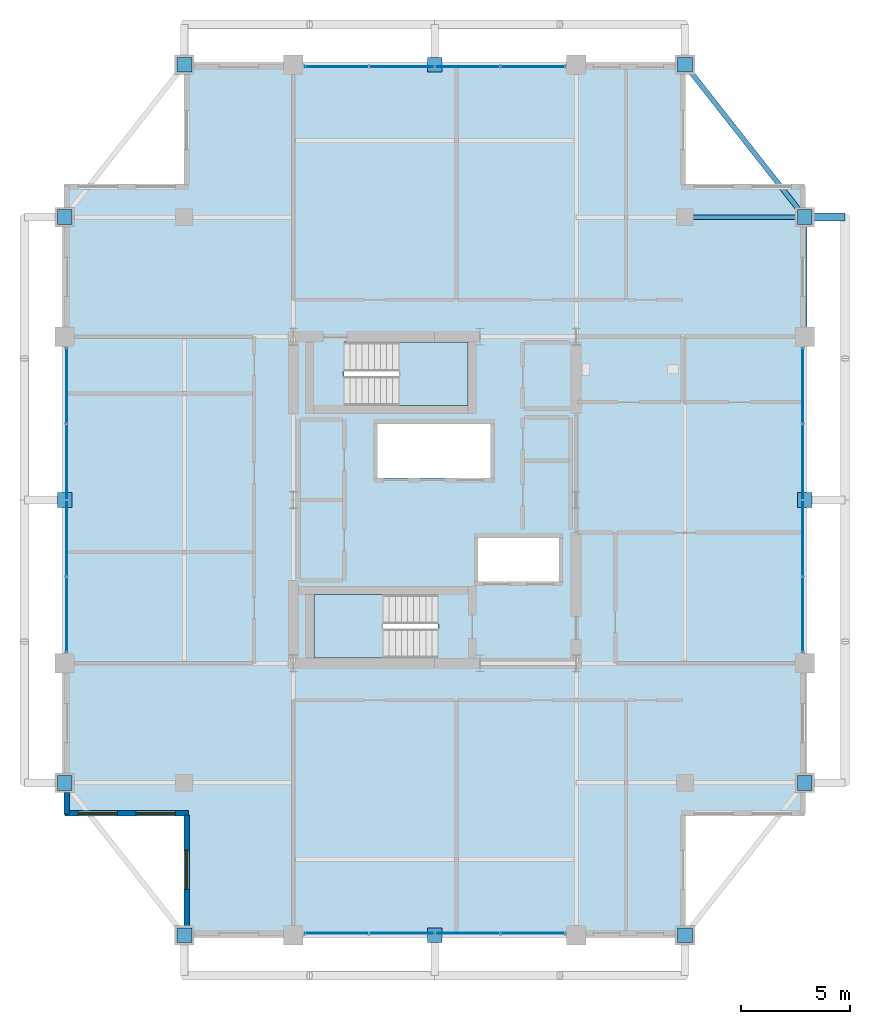
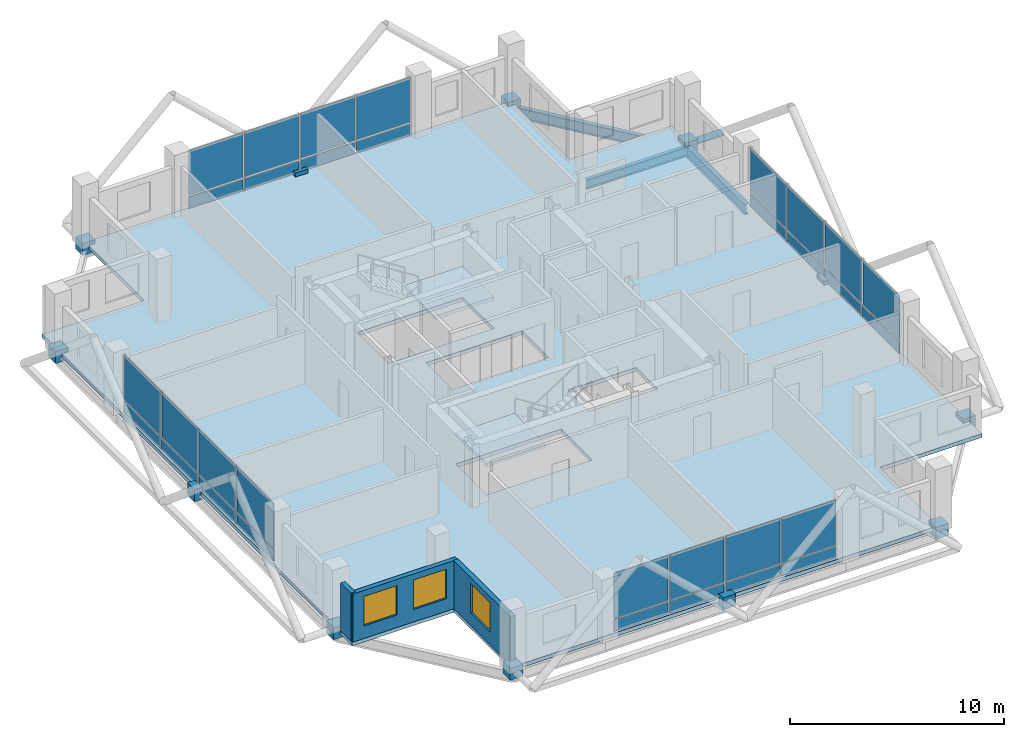
# One storey, part 18 of 24: 44 plates, 3 beams, 3 slabs, 3 walls, 3 windows, 1 member, 3 openings, 6 elements without a shape of their own.
"""IFC4 building model written with IfcOpenShell, lengths in metres."""

from ifc_helpers import new_model, si_unit, direction, frame, frame_2d, origin, origin_2d, place, context, subcontext, project, spatial, polyline, rectangle, hollow_circle, i_section, outline, extrude, material, layer, layer_set, material_profile, profile_set, type_object, element, fill, aggregate, save


model = new_model("IFC4")

# Units and contexts
model_context = context("Model", 3, precision=1e-05, world=origin(), true_north=direction((0.0, 1.0)))
body_context = subcontext(model_context, "Body", "Model", "MODEL_VIEW")
ifc_project = project(units=[si_unit("LENGTHUNIT", "METRE"), si_unit("AREAUNIT", "SQUARE_METRE"), si_unit("VOLUMEUNIT", "CUBIC_METRE"), si_unit("PLANEANGLEUNIT", "RADIAN"), si_unit("MASSUNIT", "GRAM", prefix="KILO")], contexts=[model_context])

# Site, building, storey
site_placement = place(None, origin())
site = spatial("IfcSite", under=ifc_project, at=site_placement, CompositionType="ELEMENT")
building_placement = place(site_placement, origin())
building = spatial("IfcBuilding", under=site, at=building_placement, Name="Barlavira Tower and Art Museum", CompositionType="ELEMENT")
storey_placement = place(building_placement, frame((0.0, 0.0, 272.699951171875)))
storey = spatial("IfcBuildingStorey", under=building, at=storey_placement, Name="L71", CompositionType="ELEMENT", Elevation=272.699951171875)

# Member
ifc_material_1 = material(Name="Steel S355", Category="steel")
ifc_material_profile_1 = material_profile(ifc_material_1, hollow_circle(Radius=0.177734375, WallThickness=0.01611328125, at=origin_2d()), Name="CHS 355.6x16.0")
ifc_profile_set_1 = profile_set([ifc_material_profile_1], Name="Steel S355")
member_type = type_object("IfcMemberType", Name="Pale-Metal Exoskeleton Tie Strut CHS 356x16 Steel S355", PredefinedType="STRUT", material=ifc_profile_set_1)
member_placement = place(storey_placement, frame((18.85009765625, 13.0, -0.119873046875), z_axis=(-1.0, 0.0, 0.0), x_axis=(0.0, -1.0, 0.0)))
element("IfcMember", 1, at=member_placement, inside=storey, type_object=member_type, Name="L71 Exoskeleton Tie Strut E3", PredefinedType="STRUT", context=body_context, shape_type="SweptSolid", body=[
    extrude(hollow_circle(Radius=0.177734375, WallThickness=0.01611328125, at=origin_2d()), origin(), (0.0, 0.0, 1.0), 1.85009765625),
])

# Beams
ifc_material_profile_2 = material_profile(ifc_material_1, i_section(OverallWidth=0.22998046875, OverallDepth=0.616943359375, WebThickness=0.01318359375, FlangeThickness=0.022216796875, at=origin_2d()), Name="W610x140.0")
ifc_profile_set_2 = profile_set([ifc_material_profile_2], Name="Steel S355")
beam_type_1 = type_object("IfcBeamType", Name="Upper Shaft Spandrel Edge Beam W610x140 Steel S355", PredefinedType="SPANDREL", material=ifc_profile_set_2)
beam_1_placement = place(storey_placement, frame((17.0, 7.5, -0.528564453125), z_axis=(0.0, 1.0, 0.0), x_axis=(-1.0, 0.0, 0.0)))
element("IfcBeam", 2, at=beam_1_placement, inside=storey, type_object=beam_type_1, Name="L71 Spandrel 7", PredefinedType="SPANDREL", context=body_context, shape_type="SweptSolid", body=[
    extrude(i_section(OverallWidth=0.22998046875, OverallDepth=0.616943359375, WebThickness=0.01318359375, FlangeThickness=0.022216796875, at=origin_2d()), origin(), (0.0, 0.0, 1.0), 5.5),
])
beam_2_placement = place(storey_placement, frame((17.0, 13.0, -0.528564453125), z_axis=(-0.617821551932, 0.786318338822, 0.0), x_axis=(-0.786318338822, -0.617821551932, 0.0)))
element("IfcBeam", 3, at=beam_2_placement, inside=storey, type_object=beam_type_1, Name="L71 Spandrel 8", PredefinedType="SPANDREL", context=body_context, shape_type="SweptSolid", body=[
    extrude(i_section(OverallWidth=0.22998046875, OverallDepth=0.616943359375, WebThickness=0.01318359375, FlangeThickness=0.022216796875, at=origin_2d()), origin(), (0.0, 0.0, 1.0), 8.90234375),
])
ifc_material_profile_3 = material_profile(ifc_material_1, i_section(OverallWidth=0.2109375, OverallDepth=0.5390625, WebThickness=0.01171875, FlangeThickness=0.018798828125, at=origin_2d()), Name="W530x109.0")
ifc_profile_set_3 = profile_set([ifc_material_profile_3], Name="Steel S355")
beam_type_2 = type_object("IfcBeamType", Name="Zone 3-4 Primary Floor Girder W530x109 Steel S355", PredefinedType="BEAM", material=ifc_profile_set_3)
beam_3_placement = place(storey_placement, frame((11.5, 13.0, -0.489501953125), z_axis=(1.0, 0.0, 0.0), x_axis=(0.0, 1.0, 0.0)))
element("IfcBeam", 4, at=beam_3_placement, inside=storey, type_object=beam_type_2, Name="L71 Girder I-N4", PredefinedType="BEAM", context=body_context, shape_type="SweptSolid", body=[
    extrude(i_section(OverallWidth=0.2109375, OverallDepth=0.5390625, WebThickness=0.01171875, FlangeThickness=0.018798828125, at=origin_2d()), origin(), (0.0, 0.0, 1.0), 5.5),
])

# Curtain wall, plates
ifc_material_2 = material(Name="Low-iron coastal laminated glass", Category="glass")
ifc_layer_1 = layer(ifc_material_2, 0.2099609375, Name="Low-iron coastal laminated glass")
ifc_layer_set_1 = layer_set([ifc_layer_1], Name="Low-iron coastal laminated glass")
curtain_wall_type = type_object("IfcCurtainWallType", Name="Pale-Metal Unitised Curtain Wall Zone 4", PredefinedType="NOTDEFINED", material=ifc_layer_set_1)
curtain_wall_1_placement = place(storey_placement, origin())
curtain_wall_1 = element("IfcCurtainWall", 5, at=curtain_wall_1_placement, inside=storey, type_object=curtain_wall_type, Name="L71 Curtain Wall CW4-L71-S-B2", PredefinedType="NOTDEFINED")
ifc_material_3 = material(Name="Pale anodised aluminium", Category="aluminium")
ifc_layer_2 = layer(ifc_material_3, 0.044921875, Name="Pale anodised aluminium")
ifc_layer_set_2 = layer_set([ifc_layer_2], Name="Pale anodised aluminium")
plate_type_1 = type_object("IfcPlateType", Name="Curtain Wall Pale-Metal Spandrel Panel 45", PredefinedType="CURTAIN_PANEL", material=ifc_layer_set_2)
plate_1_placement = place(storey_placement, frame((-4.5224609375, -19.89990234375, 0.0400390625), z_axis=(0.0, 0.0, 1.0), x_axis=(1.0, 0.0, 0.0)))
plate_1 = element("IfcPlate", 6, at=plate_1_placement, type_object=plate_type_1, Name="CW4-L71-S-B2 Spandrel Panel 0", PredefinedType="CURTAIN_PANEL", context=body_context, shape_type="SweptSolid", body=[
    extrude(rectangle(XDim=2.9150390625, YDim=0.044921875, at=origin_2d()), origin(), (0.0, 0.0, 1.0), 0.6640625),
])
plate_2_placement = place(storey_placement, frame((-1.507568359375, -19.89990234375, 0.0400390625), z_axis=(0.0, 0.0, 1.0), x_axis=(1.0, 0.0, 0.0)))
plate_2 = element("IfcPlate", 7, at=plate_2_placement, type_object=plate_type_1, Name="CW4-L71-S-B2 Spandrel Panel 1", PredefinedType="CURTAIN_PANEL", context=body_context, shape_type="SweptSolid", body=[
    extrude(rectangle(XDim=2.9150390625, YDim=0.044921875, at=origin_2d()), origin(), (0.0, 0.0, 1.0), 0.6640625),
])
plate_3_placement = place(storey_placement, frame((1.507568359375, -19.89990234375, 0.0400390625), z_axis=(0.0, 0.0, 1.0), x_axis=(1.0, 0.0, 0.0)))
plate_3 = element("IfcPlate", 8, at=plate_3_placement, type_object=plate_type_1, Name="CW4-L71-S-B2 Spandrel Panel 2", PredefinedType="CURTAIN_PANEL", context=body_context, shape_type="SweptSolid", body=[
    extrude(rectangle(XDim=2.9150390625, YDim=0.044921875, at=origin_2d()), origin(), (0.0, 0.0, 1.0), 0.6640625),
])
plate_4_placement = place(storey_placement, frame((4.5224609375, -19.89990234375, 0.0400390625), z_axis=(0.0, 0.0, 1.0), x_axis=(1.0, 0.0, 0.0)))
plate_4 = element("IfcPlate", 9, at=plate_4_placement, type_object=plate_type_1, Name="CW4-L71-S-B2 Spandrel Panel 3", PredefinedType="CURTAIN_PANEL", context=body_context, shape_type="SweptSolid", body=[
    extrude(rectangle(XDim=2.9150390625, YDim=0.044921875, at=origin_2d()), origin(), (0.0, 0.0, 1.0), 0.6640625),
])

curtain_wall_2_placement = place(storey_placement, origin())
curtain_wall_2 = element("IfcCurtainWall", 10, at=curtain_wall_2_placement, inside=storey, type_object=curtain_wall_type, Name="L71 Curtain Wall CW4-L71-N-B2", PredefinedType="NOTDEFINED")
plate_5_placement = place(storey_placement, frame((4.5224609375, 19.89990234375, 0.0400390625), z_axis=(0.0, 0.0, 1.0), x_axis=(-1.0, 0.0, 0.0)))
plate_5 = element("IfcPlate", 11, at=plate_5_placement, type_object=plate_type_1, Name="CW4-L71-N-B2 Spandrel Panel 0", PredefinedType="CURTAIN_PANEL", context=body_context, shape_type="SweptSolid", body=[
    extrude(rectangle(XDim=2.9150390625, YDim=0.044921875, at=origin_2d()), origin(), (0.0, 0.0, 1.0), 0.6640625),
])
plate_6_placement = place(storey_placement, frame((1.507568359375, 19.89990234375, 0.0400390625), z_axis=(0.0, 0.0, 1.0), x_axis=(-1.0, 0.0, 0.0)))
plate_6 = element("IfcPlate", 12, at=plate_6_placement, type_object=plate_type_1, Name="CW4-L71-N-B2 Spandrel Panel 1", PredefinedType="CURTAIN_PANEL", context=body_context, shape_type="SweptSolid", body=[
    extrude(rectangle(XDim=2.9150390625, YDim=0.044921875, at=origin_2d()), origin(), (0.0, 0.0, 1.0), 0.6640625),
])
plate_7_placement = place(storey_placement, frame((-1.507568359375, 19.89990234375, 0.0400390625), z_axis=(0.0, 0.0, 1.0), x_axis=(-1.0, 0.0, 0.0)))
plate_7 = element("IfcPlate", 13, at=plate_7_placement, type_object=plate_type_1, Name="CW4-L71-N-B2 Spandrel Panel 2", PredefinedType="CURTAIN_PANEL", context=body_context, shape_type="SweptSolid", body=[
    extrude(rectangle(XDim=2.9150390625, YDim=0.044921875, at=origin_2d()), origin(), (0.0, 0.0, 1.0), 0.6640625),
])
plate_8_placement = place(storey_placement, frame((-4.5224609375, 19.89990234375, 0.0400390625), z_axis=(0.0, 0.0, 1.0), x_axis=(-1.0, 0.0, 0.0)))
plate_8 = element("IfcPlate", 14, at=plate_8_placement, type_object=plate_type_1, Name="CW4-L71-N-B2 Spandrel Panel 3", PredefinedType="CURTAIN_PANEL", context=body_context, shape_type="SweptSolid", body=[
    extrude(rectangle(XDim=2.9150390625, YDim=0.044921875, at=origin_2d()), origin(), (0.0, 0.0, 1.0), 0.6640625),
])

curtain_wall_3_placement = place(storey_placement, origin())
curtain_wall_3 = element("IfcCurtainWall", 15, at=curtain_wall_3_placement, inside=storey, type_object=curtain_wall_type, Name="L71 Curtain Wall CW4-L71-W-B3", PredefinedType="NOTDEFINED")
plate_9_placement = place(storey_placement, frame((-16.89990234375, 5.2724609375, 0.0400390625), z_axis=(0.0, 0.0, 1.0), x_axis=(0.0, -1.0, 0.0)))
plate_9 = element("IfcPlate", 16, at=plate_9_placement, type_object=plate_type_1, Name="CW4-L71-W-B3 Spandrel Panel 0", PredefinedType="CURTAIN_PANEL", context=body_context, shape_type="SweptSolid", body=[
    extrude(rectangle(XDim=3.4150390625, YDim=0.044921875, at=origin_2d()), origin(), (0.0, 0.0, 1.0), 0.6640625),
])
plate_10_placement = place(storey_placement, frame((-16.89990234375, 1.757568359375, 0.0400390625), z_axis=(0.0, 0.0, 1.0), x_axis=(0.0, -1.0, 0.0)))
plate_10 = element("IfcPlate", 17, at=plate_10_placement, type_object=plate_type_1, Name="CW4-L71-W-B3 Spandrel Panel 1", PredefinedType="CURTAIN_PANEL", context=body_context, shape_type="SweptSolid", body=[
    extrude(rectangle(XDim=3.4150390625, YDim=0.044921875, at=origin_2d()), origin(), (0.0, 0.0, 1.0), 0.6640625),
])
plate_11_placement = place(storey_placement, frame((-16.89990234375, -1.757568359375, 0.0400390625), z_axis=(0.0, 0.0, 1.0), x_axis=(0.0, -1.0, 0.0)))
plate_11 = element("IfcPlate", 18, at=plate_11_placement, type_object=plate_type_1, Name="CW4-L71-W-B3 Spandrel Panel 2", PredefinedType="CURTAIN_PANEL", context=body_context, shape_type="SweptSolid", body=[
    extrude(rectangle(XDim=3.4150390625, YDim=0.044921875, at=origin_2d()), origin(), (0.0, 0.0, 1.0), 0.6640625),
])
plate_12_placement = place(storey_placement, frame((-16.89990234375, -5.2724609375, 0.0400390625), z_axis=(0.0, 0.0, 1.0), x_axis=(0.0, -1.0, 0.0)))
plate_12 = element("IfcPlate", 19, at=plate_12_placement, type_object=plate_type_1, Name="CW4-L71-W-B3 Spandrel Panel 3", PredefinedType="CURTAIN_PANEL", context=body_context, shape_type="SweptSolid", body=[
    extrude(rectangle(XDim=3.4150390625, YDim=0.044921875, at=origin_2d()), origin(), (0.0, 0.0, 1.0), 0.6640625),
])

curtain_wall_4_placement = place(storey_placement, origin())
curtain_wall_4 = element("IfcCurtainWall", 20, at=curtain_wall_4_placement, inside=storey, type_object=curtain_wall_type, Name="L71 Curtain Wall CW4-L71-E-B3", PredefinedType="NOTDEFINED")
plate_13_placement = place(storey_placement, frame((16.89990234375, -5.2724609375, 0.0400390625), z_axis=(0.0, 0.0, 1.0), x_axis=(0.0, 1.0, 0.0)))
plate_13 = element("IfcPlate", 21, at=plate_13_placement, type_object=plate_type_1, Name="CW4-L71-E-B3 Spandrel Panel 0", PredefinedType="CURTAIN_PANEL", context=body_context, shape_type="SweptSolid", body=[
    extrude(rectangle(XDim=3.4150390625, YDim=0.044921875, at=origin_2d()), origin(), (0.0, 0.0, 1.0), 0.6640625),
])
plate_14_placement = place(storey_placement, frame((16.89990234375, -1.757568359375, 0.0400390625), z_axis=(0.0, 0.0, 1.0), x_axis=(0.0, 1.0, 0.0)))
plate_14 = element("IfcPlate", 22, at=plate_14_placement, type_object=plate_type_1, Name="CW4-L71-E-B3 Spandrel Panel 1", PredefinedType="CURTAIN_PANEL", context=body_context, shape_type="SweptSolid", body=[
    extrude(rectangle(XDim=3.4150390625, YDim=0.044921875, at=origin_2d()), origin(), (0.0, 0.0, 1.0), 0.6640625),
])
plate_15_placement = place(storey_placement, frame((16.89990234375, 1.757568359375, 0.0400390625), z_axis=(0.0, 0.0, 1.0), x_axis=(0.0, 1.0, 0.0)))
plate_15 = element("IfcPlate", 23, at=plate_15_placement, type_object=plate_type_1, Name="CW4-L71-E-B3 Spandrel Panel 2", PredefinedType="CURTAIN_PANEL", context=body_context, shape_type="SweptSolid", body=[
    extrude(rectangle(XDim=3.4150390625, YDim=0.044921875, at=origin_2d()), origin(), (0.0, 0.0, 1.0), 0.6640625),
])
plate_16_placement = place(storey_placement, frame((16.89990234375, 5.2724609375, 0.0400390625), z_axis=(0.0, 0.0, 1.0), x_axis=(0.0, 1.0, 0.0)))
plate_16 = element("IfcPlate", 24, at=plate_16_placement, type_object=plate_type_1, Name="CW4-L71-E-B3 Spandrel Panel 3", PredefinedType="CURTAIN_PANEL", context=body_context, shape_type="SweptSolid", body=[
    extrude(rectangle(XDim=3.4150390625, YDim=0.044921875, at=origin_2d()), origin(), (0.0, 0.0, 1.0), 0.6640625),
])

# Plate
ifc_layer_3 = layer(ifc_material_2, 0.028076171875, Name="Low-iron coastal laminated glass")
ifc_layer_set_3 = layer_set([ifc_layer_3], Name="Low-iron coastal laminated glass")
plate_type_2 = type_object("IfcPlateType", Name="Curtain Wall Vision Glazing Panel 28", PredefinedType="CURTAIN_PANEL", material=ifc_layer_set_3)
plate_17_placement = place(storey_placement, frame((-4.5224609375, -19.89990234375, 0.7841796875), z_axis=(0.0, 0.0, 1.0), x_axis=(1.0, 0.0, 0.0)))
plate_17 = element("IfcPlate", 25, at=plate_17_placement, type_object=plate_type_2, Name="CW4-L71-S-B2 Vision Glass Panel 0", PredefinedType="CURTAIN_PANEL", context=body_context, shape_type="SweptSolid", body=[
    extrude(rectangle(XDim=2.9150390625, YDim=0.028076171875, at=origin_2d()), origin(), (0.0, 0.0, 1.0), 2.555908203125),
])

plate_18_placement = place(storey_placement, frame((-1.507568359375, -19.89990234375, 0.7841796875), z_axis=(0.0, 0.0, 1.0), x_axis=(1.0, 0.0, 0.0)))
plate_18 = element("IfcPlate", 26, at=plate_18_placement, type_object=plate_type_2, Name="CW4-L71-S-B2 Vision Glass Panel 1", PredefinedType="CURTAIN_PANEL", context=body_context, shape_type="SweptSolid", body=[
    extrude(rectangle(XDim=2.9150390625, YDim=0.028076171875, at=origin_2d()), origin(), (0.0, 0.0, 1.0), 2.555908203125),
])

plate_19_placement = place(storey_placement, frame((1.507568359375, -19.89990234375, 0.7841796875), z_axis=(0.0, 0.0, 1.0), x_axis=(1.0, 0.0, 0.0)))
plate_19 = element("IfcPlate", 27, at=plate_19_placement, type_object=plate_type_2, Name="CW4-L71-S-B2 Vision Glass Panel 2", PredefinedType="CURTAIN_PANEL", context=body_context, shape_type="SweptSolid", body=[
    extrude(rectangle(XDim=2.9150390625, YDim=0.028076171875, at=origin_2d()), origin(), (0.0, 0.0, 1.0), 2.555908203125),
])

plate_20_placement = place(storey_placement, frame((4.5224609375, -19.89990234375, 0.7841796875), z_axis=(0.0, 0.0, 1.0), x_axis=(1.0, 0.0, 0.0)))
plate_20 = element("IfcPlate", 28, at=plate_20_placement, type_object=plate_type_2, Name="CW4-L71-S-B2 Vision Glass Panel 3", PredefinedType="CURTAIN_PANEL", context=body_context, shape_type="SweptSolid", body=[
    extrude(rectangle(XDim=2.9150390625, YDim=0.028076171875, at=origin_2d()), origin(), (0.0, 0.0, 1.0), 2.555908203125),
])

aggregate(curtain_wall_1, [plate_1, plate_17, plate_2, plate_18, plate_3, plate_19, plate_4, plate_20])

plate_21_placement = place(storey_placement, frame((4.5224609375, 19.89990234375, 0.7841796875), z_axis=(0.0, 0.0, 1.0), x_axis=(-1.0, 0.0, 0.0)))
plate_21 = element("IfcPlate", 29, at=plate_21_placement, type_object=plate_type_2, Name="CW4-L71-N-B2 Vision Glass Panel 0", PredefinedType="CURTAIN_PANEL", context=body_context, shape_type="SweptSolid", body=[
    extrude(rectangle(XDim=2.9150390625, YDim=0.028076171875, at=origin_2d()), origin(), (0.0, 0.0, 1.0), 2.555908203125),
])

plate_22_placement = place(storey_placement, frame((1.507568359375, 19.89990234375, 0.7841796875), z_axis=(0.0, 0.0, 1.0), x_axis=(-1.0, 0.0, 0.0)))
plate_22 = element("IfcPlate", 30, at=plate_22_placement, type_object=plate_type_2, Name="CW4-L71-N-B2 Vision Glass Panel 1", PredefinedType="CURTAIN_PANEL", context=body_context, shape_type="SweptSolid", body=[
    extrude(rectangle(XDim=2.9150390625, YDim=0.028076171875, at=origin_2d()), origin(), (0.0, 0.0, 1.0), 2.555908203125),
])

plate_23_placement = place(storey_placement, frame((-1.507568359375, 19.89990234375, 0.7841796875), z_axis=(0.0, 0.0, 1.0), x_axis=(-1.0, 0.0, 0.0)))
plate_23 = element("IfcPlate", 31, at=plate_23_placement, type_object=plate_type_2, Name="CW4-L71-N-B2 Vision Glass Panel 2", PredefinedType="CURTAIN_PANEL", context=body_context, shape_type="SweptSolid", body=[
    extrude(rectangle(XDim=2.9150390625, YDim=0.028076171875, at=origin_2d()), origin(), (0.0, 0.0, 1.0), 2.555908203125),
])

plate_24_placement = place(storey_placement, frame((-4.5224609375, 19.89990234375, 0.7841796875), z_axis=(0.0, 0.0, 1.0), x_axis=(-1.0, 0.0, 0.0)))
plate_24 = element("IfcPlate", 32, at=plate_24_placement, type_object=plate_type_2, Name="CW4-L71-N-B2 Vision Glass Panel 3", PredefinedType="CURTAIN_PANEL", context=body_context, shape_type="SweptSolid", body=[
    extrude(rectangle(XDim=2.9150390625, YDim=0.028076171875, at=origin_2d()), origin(), (0.0, 0.0, 1.0), 2.555908203125),
])

aggregate(curtain_wall_2, [plate_5, plate_21, plate_6, plate_22, plate_7, plate_23, plate_8, plate_24])

plate_25_placement = place(storey_placement, frame((-16.89990234375, 5.2724609375, 0.7841796875), z_axis=(0.0, 0.0, 1.0), x_axis=(0.0, -1.0, 0.0)))
plate_25 = element("IfcPlate", 33, at=plate_25_placement, type_object=plate_type_2, Name="CW4-L71-W-B3 Vision Glass Panel 0", PredefinedType="CURTAIN_PANEL", context=body_context, shape_type="SweptSolid", body=[
    extrude(rectangle(XDim=3.4150390625, YDim=0.028076171875, at=origin_2d()), origin(), (0.0, 0.0, 1.0), 2.555908203125),
])

plate_26_placement = place(storey_placement, frame((-16.89990234375, 1.757568359375, 0.7841796875), z_axis=(0.0, 0.0, 1.0), x_axis=(0.0, -1.0, 0.0)))
plate_26 = element("IfcPlate", 34, at=plate_26_placement, type_object=plate_type_2, Name="CW4-L71-W-B3 Vision Glass Panel 1", PredefinedType="CURTAIN_PANEL", context=body_context, shape_type="SweptSolid", body=[
    extrude(rectangle(XDim=3.4150390625, YDim=0.028076171875, at=origin_2d()), origin(), (0.0, 0.0, 1.0), 2.555908203125),
])

plate_27_placement = place(storey_placement, frame((-16.89990234375, -1.757568359375, 0.7841796875), z_axis=(0.0, 0.0, 1.0), x_axis=(0.0, -1.0, 0.0)))
plate_27 = element("IfcPlate", 35, at=plate_27_placement, type_object=plate_type_2, Name="CW4-L71-W-B3 Vision Glass Panel 2", PredefinedType="CURTAIN_PANEL", context=body_context, shape_type="SweptSolid", body=[
    extrude(rectangle(XDim=3.4150390625, YDim=0.028076171875, at=origin_2d()), origin(), (0.0, 0.0, 1.0), 2.555908203125),
])

plate_28_placement = place(storey_placement, frame((-16.89990234375, -5.2724609375, 0.7841796875), z_axis=(0.0, 0.0, 1.0), x_axis=(0.0, -1.0, 0.0)))
plate_28 = element("IfcPlate", 36, at=plate_28_placement, type_object=plate_type_2, Name="CW4-L71-W-B3 Vision Glass Panel 3", PredefinedType="CURTAIN_PANEL", context=body_context, shape_type="SweptSolid", body=[
    extrude(rectangle(XDim=3.4150390625, YDim=0.028076171875, at=origin_2d()), origin(), (0.0, 0.0, 1.0), 2.555908203125),
])

aggregate(curtain_wall_3, [plate_9, plate_25, plate_10, plate_26, plate_11, plate_27, plate_12, plate_28])

plate_29_placement = place(storey_placement, frame((16.89990234375, -5.2724609375, 0.7841796875), z_axis=(0.0, 0.0, 1.0), x_axis=(0.0, 1.0, 0.0)))
plate_29 = element("IfcPlate", 37, at=plate_29_placement, type_object=plate_type_2, Name="CW4-L71-E-B3 Vision Glass Panel 0", PredefinedType="CURTAIN_PANEL", context=body_context, shape_type="SweptSolid", body=[
    extrude(rectangle(XDim=3.4150390625, YDim=0.028076171875, at=origin_2d()), origin(), (0.0, 0.0, 1.0), 2.555908203125),
])

plate_30_placement = place(storey_placement, frame((16.89990234375, -1.757568359375, 0.7841796875), z_axis=(0.0, 0.0, 1.0), x_axis=(0.0, 1.0, 0.0)))
plate_30 = element("IfcPlate", 38, at=plate_30_placement, type_object=plate_type_2, Name="CW4-L71-E-B3 Vision Glass Panel 1", PredefinedType="CURTAIN_PANEL", context=body_context, shape_type="SweptSolid", body=[
    extrude(rectangle(XDim=3.4150390625, YDim=0.028076171875, at=origin_2d()), origin(), (0.0, 0.0, 1.0), 2.555908203125),
])

plate_31_placement = place(storey_placement, frame((16.89990234375, 1.757568359375, 0.7841796875), z_axis=(0.0, 0.0, 1.0), x_axis=(0.0, 1.0, 0.0)))
plate_31 = element("IfcPlate", 39, at=plate_31_placement, type_object=plate_type_2, Name="CW4-L71-E-B3 Vision Glass Panel 2", PredefinedType="CURTAIN_PANEL", context=body_context, shape_type="SweptSolid", body=[
    extrude(rectangle(XDim=3.4150390625, YDim=0.028076171875, at=origin_2d()), origin(), (0.0, 0.0, 1.0), 2.555908203125),
])

plate_32_placement = place(storey_placement, frame((16.89990234375, 5.2724609375, 0.7841796875), z_axis=(0.0, 0.0, 1.0), x_axis=(0.0, 1.0, 0.0)))
plate_32 = element("IfcPlate", 40, at=plate_32_placement, type_object=plate_type_2, Name="CW4-L71-E-B3 Vision Glass Panel 3", PredefinedType="CURTAIN_PANEL", context=body_context, shape_type="SweptSolid", body=[
    extrude(rectangle(XDim=3.4150390625, YDim=0.028076171875, at=origin_2d()), origin(), (0.0, 0.0, 1.0), 2.555908203125),
])

aggregate(curtain_wall_4, [plate_13, plate_29, plate_14, plate_30, plate_15, plate_31, plate_16, plate_32])

# Plates
ifc_layer_4 = layer(ifc_material_1, 0.679931640625, Name="Steel S355")
ifc_layer_set_4 = layer_set([ifc_layer_4], Name="Steel S355")
plate_type_3 = type_object("IfcPlateType", Name="Exoskeleton Tie-Back Solid Cap Plate Assembly Type 5 Steel S355", PredefinedType="USERDEFINED", material=ifc_layer_set_4)
for number, where, z_axis, x_axis, name in (
    (41, (-11.5, -20.0, -0.4599609375), (0.0, 0.0, 1.0), (1.0, 0.0, 0.0), "Slab Edge Tie Cap Plate S1 ND-L71-0802"),
    (42, (0.0, -20.0, -0.4599609375), (0.0, 0.0, 1.0), (1.0, 0.0, 0.0), "Slab Edge Tie Cap Plate S2 ND-L71-0803"),
    (43, (11.5, -20.0, -0.4599609375), (0.0, 0.0, 1.0), (1.0, 0.0, 0.0), "Slab Edge Tie Cap Plate S3 ND-L71-0804"),
    (44, (-11.5, 20.0, -0.4599609375), (0.0, 0.0, 1.0), (1.0, 0.0, 0.0), "Slab Edge Tie Cap Plate N1 ND-L71-0810"),
    (45, (0.0, 20.0, -0.4599609375), (0.0, 0.0, 1.0), (1.0, 0.0, 0.0), "Slab Edge Tie Cap Plate N2 ND-L71-0811"),
    (46, (11.5, 20.0, -0.4599609375), (0.0, 0.0, 1.0), (1.0, 0.0, 0.0), "Slab Edge Tie Cap Plate N3 ND-L71-0812"),
    (47, (-17.0, -13.0, -0.4599609375), (0.0, 0.0, 1.0), (1.0, 0.0, 0.0), "Slab Edge Tie Cap Plate W1 ND-L71-0818"),
    (48, (-17.0, 0.0, -0.4599609375), (0.0, 0.0, 1.0), (1.0, 0.0, 0.0), "Slab Edge Tie Cap Plate W2 ND-L71-0819"),
    (49, (-17.0, 13.0, -0.4599609375), (0.0, 0.0, 1.0), (1.0, 0.0, 0.0), "Slab Edge Tie Cap Plate W3 ND-L71-0820"),
    (50, (17.0, -13.0, -0.4599609375), (0.0, 0.0, 1.0), (1.0, 0.0, 0.0), "Slab Edge Tie Cap Plate E1 ND-L71-0826"),
    (51, (17.0, 0.0, -0.4599609375), (0.0, 0.0, 1.0), (1.0, 0.0, 0.0), "Slab Edge Tie Cap Plate E2 ND-L71-0827"),
    (52, (17.0, 13.0, -0.4599609375), (0.0, 0.0, 1.0), (1.0, 0.0, 0.0), "Slab Edge Tie Cap Plate E3 ND-L71-0828"),
):
    element("IfcPlate", number, at=place(storey_placement, frame(where, z_axis=z_axis, x_axis=x_axis)), inside=storey, type_object=plate_type_3, Name=name, ObjectType="FLANGE_PLATE", PredefinedType="USERDEFINED", context=body_context, shape_type="SweptSolid", body=[
        extrude(rectangle(XDim=0.679931640625, YDim=0.679931640625, at=origin_2d()), origin(), (0.0, 0.0, 1.0), 0.679931640625),
    ])

# Stair, slab
ifc_material_4 = material(Name="Concrete C45", Category="concrete")
stair_type_1 = type_object("IfcStairType", Name="Tower North Dog-Leg Exit Stair Assembly Concrete C45", PredefinedType="TWO_QUARTER_TURN_STAIR", material=ifc_material_4)
stair_1_placement = place(storey_placement, origin())
stair_1 = element("IfcStair", 53, at=stair_1_placement, inside=storey, type_object=stair_type_1, Name="L71 Tower North Exit Stair ST-T2", PredefinedType="TWO_QUARTER_TURN_STAIR")
ifc_layer_5 = layer(ifc_material_4, 0.199951171875, Name="Concrete C45")
ifc_layer_set_5 = layer_set([ifc_layer_5], Name="Concrete C45")
slab_type_1 = type_object("IfcSlabType", Name="Tower North Dog-Leg Exit Stair Half-Landing Slab 200 Concrete C45", PredefinedType="LANDING", material=ifc_layer_set_5)
slab_1_placement = place(storey_placement, frame((0.0, 0.0, 1.60009765625)))
slab_1 = element("IfcSlab", 54, at=slab_1_placement, type_object=slab_type_1, Name="ST-T2 landing 1", PredefinedType="LANDING", context=body_context, shape_type="SweptSolid", body=[
    extrude(outline(polyline([(-1.64990234375, 4.35009765625), (1.530029296875, 4.35009765625), (1.530029296875, 7.25), (-1.64990234375, 7.25), (-1.64990234375, 4.35009765625)])), origin(), (0.0, 0.0, 1.0), 0.199951171875),
])
aggregate(stair_1, [slab_1])

stair_type_2 = type_object("IfcStairType", Name="Tower South Dog-Leg Exit Stair Assembly Concrete C45", PredefinedType="TWO_QUARTER_TURN_STAIR", material=ifc_material_4)
stair_2_placement = place(storey_placement, origin())
stair_2 = element("IfcStair", 55, at=stair_2_placement, inside=storey, type_object=stair_type_2, Name="L71 Tower South Exit Stair ST-T1", PredefinedType="TWO_QUARTER_TURN_STAIR")
ifc_layer_6 = layer(ifc_material_4, 0.199951171875, Name="Concrete C45")
ifc_layer_set_6 = layer_set([ifc_layer_6], Name="Concrete C45")
slab_type_2 = type_object("IfcSlabType", Name="Tower South Dog-Leg Exit Stair Half-Landing Slab 200 Concrete C45", PredefinedType="LANDING", material=ifc_layer_set_6)
slab_2_placement = place(storey_placement, frame((0.0, 0.0, 1.60009765625)))
slab_2 = element("IfcSlab", 56, at=slab_2_placement, type_object=slab_type_2, Name="ST-T1 landing 1", PredefinedType="LANDING", context=body_context, shape_type="SweptSolid", body=[
    extrude(outline(polyline([(-2.3701171875, -4.35009765625), (-5.550048828125, -4.35009765625), (-5.550048828125, -7.25), (-2.3701171875, -7.25), (-2.3701171875, -4.35009765625)])), origin(), (0.0, 0.0, 1.0), 0.199951171875),
])
aggregate(stair_2, [slab_2])

# Slab
ifc_material_5 = material(Name="Concrete C50", Category="concrete")
ifc_layer_7 = layer(ifc_material_5, 0.18994140625, Name="Concrete C50")
ifc_layer_set_7 = layer_set([ifc_layer_7], Name="Concrete C50")
slab_type_3 = type_object("IfcSlabType", Name="Zone 4 Residential Composite Slab 190 Concrete C50", PredefinedType="FLOOR", material=ifc_layer_set_7)
slab_3_placement = place(storey_placement, frame((0.0, 0.0, -0.219970703125)))
element("IfcSlab", 57, at=slab_3_placement, inside=storey, type_object=slab_type_3, Name="L71 Tower Floor Slab", PredefinedType="FLOOR", context=body_context, shape_type="SweptSolid", body=[
    extrude(outline(polyline([(-11.5, -20.0), (11.5, -20.0), (11.5, -14.5), (17.0, -14.5), (17.0, 14.5), (11.5, 14.5), (11.5, 20.0), (-11.5, 20.0), (-11.5, 14.5), (-17.0, 14.5), (-17.0, -14.5), (-11.5, -14.5), (-11.5, -20.0)]), holes=[polyline([(0.14990234375, -4.35009765625), (-5.550048828125, -4.35009765625), (-5.550048828125, -7.25), (0.14990234375, -7.25), (0.14990234375, -4.35009765625)]), polyline([(-4.169921875, 4.35009765625), (1.530029296875, 4.35009765625), (1.530029296875, 7.25), (-4.169921875, 7.25), (-4.169921875, 4.35009765625)]), polyline([(-2.6201171875, 1.0), (2.56005859375, 1.0), (2.56005859375, 3.5), (-2.6201171875, 3.5), (-2.6201171875, 1.0)]), polyline([(2.0, -3.75), (5.699951171875, -3.75), (5.699951171875, -1.75), (2.0, -1.75), (2.0, -3.75)])]), origin(), (0.0, 0.0, 1.0), 0.219970703125),
])

# Wall
ifc_material_6 = material(Name="Precast concrete C40", Category="concrete")
ifc_layer_8 = layer(ifc_material_6, 0.25, Name="Precast concrete C40")
ifc_layer_set_8 = layer_set([ifc_layer_8], Name="Precast concrete C40")
wall_type = type_object("IfcWallType", Name="Notched Corner Spandrel Wall 250 Precast Concrete C40", PredefinedType="SOLIDWALL", material=ifc_layer_set_8)
wall_1_placement = place(storey_placement, frame((-16.89990234375, -13.445068359375, 0.0), z_axis=(0.0, 0.0, 1.0), x_axis=(0.0, -1.0, 0.0)))
element("IfcWall", 58, at=wall_1_placement, inside=storey, type_object=wall_type, Name="L71 Coastal Facade Pier Wall CW4-L71-W-5", PredefinedType="SOLIDWALL", context=body_context, shape_type="SweptSolid", body=[
    extrude(rectangle(XDim=0.97998046875, YDim=0.25, at=frame_2d((0.489990234375, 0.0))), origin(), (0.0, 0.0, 1.0), 2.748046875),
])

# Wall, openings, windows
wall_2_placement = place(storey_placement, frame((-16.97998046875, -14.39990234375, 0.0), z_axis=(0.0, 0.0, 1.0), x_axis=(1.0, 0.0, 0.0)))
wall_2 = element("IfcWall", 59, at=wall_2_placement, inside=storey, type_object=wall_type, Name="L71 Notch Corner Wall SW1", PredefinedType="SOLIDWALL", context=body_context, shape_type="SweptSolid", body=[
    extrude(rectangle(XDim=5.659912109375, YDim=0.25, at=frame_2d((2.830078125, 0.0))), origin(), (0.0, 0.0, 1.0), 2.748046875),
])
opening_1_placement = place(wall_2_placement, frame((0.594970703125, 0.0, 0.719970703125)))
opening_1 = element("IfcOpeningElement", 60, at=opening_1_placement, cuts=wall_2, Name="Opening WN-01", PredefinedType="OPENING", context=body_context, shape_type="SweptSolid", body=[
    extrude(rectangle(XDim=1.800048828125, YDim=1.679931640625, at=frame_2d((0.89990234375, 0.83984375))), frame((0.0, 0.135009765625, 0.0), z_axis=(0.0, -1.0, 0.0), x_axis=(1.0, 0.0, 0.0)), (0.0, 0.0, 1.0), 0.27001953125),
])
opening_2_placement = place(wall_2_placement, frame((3.264892578125, 0.0, 0.719970703125)))
opening_2 = element("IfcOpeningElement", 61, at=opening_2_placement, cuts=wall_2, Name="Opening WN-01", PredefinedType="OPENING", context=body_context, shape_type="SweptSolid", body=[
    extrude(rectangle(XDim=1.800048828125, YDim=1.679931640625, at=frame_2d((0.89990234375, 0.83984375))), frame((0.0, 0.135009765625, 0.0), z_axis=(0.0, -1.0, 0.0), x_axis=(1.0, 0.0, 0.0)), (0.0, 0.0, 1.0), 0.27001953125),
])
window_type = type_object("IfcWindowType", Name="Recessed Notch Corner Punch Window 1800x1680", PartitioningType="SINGLE_PANEL", PredefinedType="WINDOW", material=ifc_material_2)
window_1_placement = place(opening_1_placement, origin())
window_1 = element("IfcWindow", 62, at=window_1_placement, inside=storey, type_object=window_type, Name="L71 Punched Facade Window EW-NTC-L71-SW1-1", OverallHeight=1.679931640625, OverallWidth=1.800048828125, PartitioningType="SINGLE_PANEL", PredefinedType="WINDOW", context=body_context, shape_type="SweptSolid", body=[
    extrude(rectangle(XDim=1.800048828125, YDim=1.679931640625, at=frame_2d((0.89990234375, 0.83984375))), frame((0.0, 0.030029296875, 0.0), z_axis=(0.0, -1.0, 0.0), x_axis=(1.0, 0.0, 0.0)), (0.0, 0.0, 1.0), 0.06005859375),
])
fill(opening_1, window_1)
window_2_placement = place(opening_2_placement, origin())
window_2 = element("IfcWindow", 63, at=window_2_placement, inside=storey, type_object=window_type, Name="L71 Punched Facade Window EW-NTC-L71-SW1-2", OverallHeight=1.679931640625, OverallWidth=1.800048828125, PartitioningType="SINGLE_PANEL", PredefinedType="WINDOW", context=body_context, shape_type="SweptSolid", body=[
    extrude(rectangle(XDim=1.800048828125, YDim=1.679931640625, at=frame_2d((0.89990234375, 0.83984375))), frame((0.0, 0.030029296875, 0.0), z_axis=(0.0, -1.0, 0.0), x_axis=(1.0, 0.0, 0.0)), (0.0, 0.0, 1.0), 0.06005859375),
])
fill(opening_2, window_2)

# Wall, opening, window
wall_3_placement = place(storey_placement, frame((-11.39990234375, -14.47998046875, 0.0), z_axis=(0.0, 0.0, 1.0), x_axis=(0.0, -1.0, 0.0)))
wall_3 = element("IfcWall", 64, at=wall_3_placement, inside=storey, type_object=wall_type, Name="L71 Notch Corner Wall SW2", PredefinedType="SOLIDWALL", context=body_context, shape_type="SweptSolid", body=[
    extrude(rectangle(XDim=5.340087890625, YDim=0.25, at=frame_2d((2.669921875, 0.0))), origin(), (0.0, 0.0, 1.0), 2.748046875),
])
opening_3_placement = place(wall_3_placement, frame((1.614990234375, 0.0, 0.719970703125)))
opening_3 = element("IfcOpeningElement", 65, at=opening_3_placement, cuts=wall_3, Name="Opening WN-01", PredefinedType="OPENING", context=body_context, shape_type="SweptSolid", body=[
    extrude(rectangle(XDim=1.800048828125, YDim=1.679931640625, at=frame_2d((0.89990234375, 0.83984375))), frame((0.0, 0.135009765625, 0.0), z_axis=(0.0, -1.0, 0.0), x_axis=(1.0, 0.0, 0.0)), (0.0, 0.0, 1.0), 0.27001953125),
])
window_3_placement = place(opening_3_placement, origin())
window_3 = element("IfcWindow", 66, at=window_3_placement, inside=storey, type_object=window_type, Name="L71 Punched Facade Window EW-NTC-L71-SW2-1", OverallHeight=1.679931640625, OverallWidth=1.800048828125, PartitioningType="SINGLE_PANEL", PredefinedType="WINDOW", context=body_context, shape_type="SweptSolid", body=[
    extrude(rectangle(XDim=1.800048828125, YDim=1.679931640625, at=frame_2d((0.89990234375, 0.83984375))), frame((0.0, 0.030029296875, 0.0), z_axis=(0.0, -1.0, 0.0), x_axis=(1.0, 0.0, 0.0)), (0.0, 0.0, 1.0), 0.06005859375),
])
fill(opening_3, window_3)

save(model, "model.ifc")
